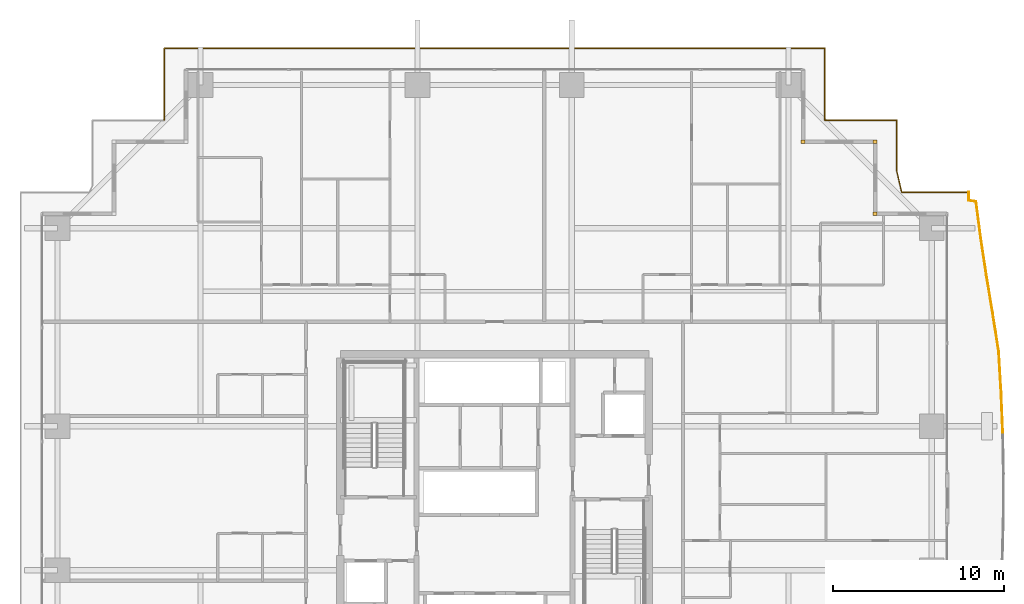
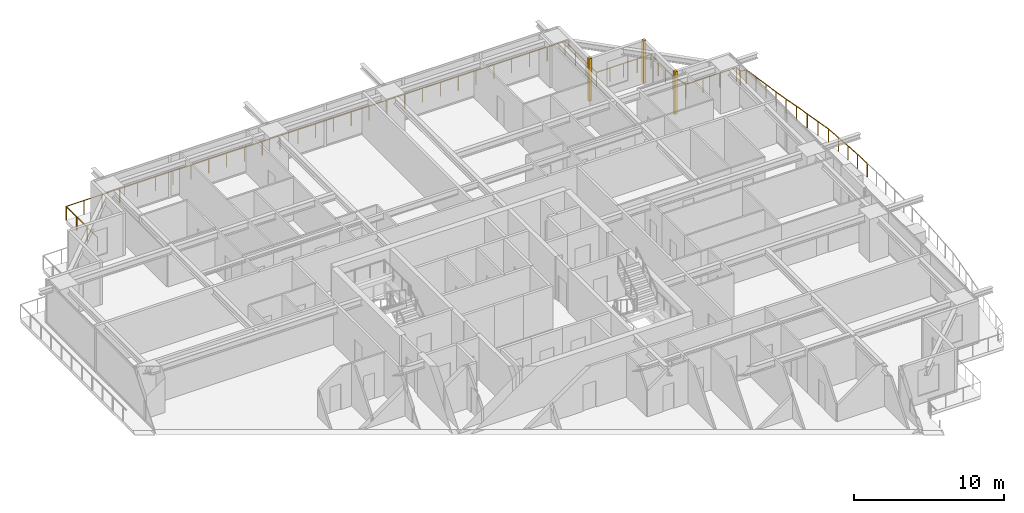
# One storey, part 39 of 39: 3 coverings, 2 railings.
"""IFC4 building model written with IfcOpenShell, lengths in metres."""

import ifcopenshell
import ifcopenshell.guid

model = None  # the IFC model being written
_history = None  # IfcOwnerHistory: only IFC2X3 demands one
_inside = {}  # id of a spatial element -> (the spatial element, [elements in it])
_under = {}  # id of a project, library or spatial element -> (it, [spatial elements below it])
_declared = {}  # id of a project -> (the project, [libraries it declares])
_typed = {}  # id of a type object -> (the type object, [elements of that type])
_made_of = {}  # id of a material, layer set ... -> (it, [elements and type objects made of it])


def new_model(schema):
    """Start an empty IFC model of exactly this schema.

    Asked for "IFC4X3", IfcOpenShell would pick the latest addendum, in which some entities
    have other attributes; the version numbers below select the first issue.
    IFC2X3 requires an IfcOwnerHistory on every rooted entity: one is made here for all.
    """
    global model, _history
    if schema == "IFC4X3":
        model = ifcopenshell.file(schema_version=(4, 3, 0, 0))
    else:
        model = ifcopenshell.file(schema=schema)
    _inside.clear()
    _under.clear()
    _declared.clear()
    _typed.clear()
    _made_of.clear()
    _history = None
    if model.schema == "IFC2X3":
        org = make("IfcOrganization", Name="unknown")
        user = make(
            "IfcPersonAndOrganization",
            ThePerson=make("IfcPerson", FamilyName="unknown"),
            TheOrganization=org,
        )
        app = make(
            "IfcApplication",
            ApplicationDeveloper=org,
            Version="unknown",
            ApplicationFullName="unknown",
            ApplicationIdentifier="unknown",
        )
        _history = make(
            "IfcOwnerHistory",
            OwningUser=user,
            OwningApplication=app,
            ChangeAction="ADDED",
            CreationDate=0,
        )
    return model


def make(cls, **values):
    """One entity of the class cls with the attributes given. An attribute that is None is left unset."""
    return model.create_entity(
        cls, **{name: value for name, value in values.items() if value is not None}
    )


def rooted(cls, **values):
    """An entity with a GlobalId (a new one), such as an element, a storey or a relation."""
    return make(cls, GlobalId=ifcopenshell.guid.new(), OwnerHistory=_history, **values)


def si_unit(unit_type, name, prefix=None):
    """IfcSIUnit, for example si_unit("LENGTHUNIT", "METRE", prefix="MILLI")."""
    return make("IfcSIUnit", UnitType=unit_type, Prefix=prefix, Name=name)


def assignment(units):
    """IfcUnitAssignment: the units of a project."""
    return None if units is None else make("IfcUnitAssignment", Units=units)


def point(xyz):
    """IfcCartesianPoint."""
    return None if xyz is None else make("IfcCartesianPoint", Coordinates=xyz)


def direction(xyz):
    """IfcDirection."""
    return None if xyz is None else make("IfcDirection", DirectionRatios=xyz)


def frame(location, z_axis=None, x_axis=None):
    """IfcAxis2Placement3D, a coordinate frame: its origin and axes. An axis left out is left unset."""
    return make(
        "IfcAxis2Placement3D",
        Location=point(location),
        Axis=direction(z_axis),
        RefDirection=direction(x_axis),
    )


def frame_2d(location, x_axis=None):
    """IfcAxis2Placement2D, a coordinate frame in the plane: its origin and x axis."""
    return make(
        "IfcAxis2Placement2D", Location=point(location), RefDirection=direction(x_axis)
    )


def origin():
    """The frame at (0, 0, 0) with its axes left unset."""
    return frame((0.0, 0.0, 0.0))


def origin_2d():
    """The frame at (0, 0) in the plane with its x axis left unset."""
    return frame_2d((0.0, 0.0))


def place(relative_to, where):
    """IfcLocalPlacement: puts the frame where relative to a parent placement (None: the world)."""
    return make(
        "IfcLocalPlacement", PlacementRelTo=relative_to, RelativePlacement=where
    )


def context(
    kind, dimensions, precision=None, world=None, true_north=None, identifier=None
):
    """IfcGeometricRepresentationContext, for example the 3D "Model" context."""
    return make(
        "IfcGeometricRepresentationContext",
        ContextIdentifier=identifier,
        ContextType=kind,
        CoordinateSpaceDimension=dimensions,
        Precision=precision,
        WorldCoordinateSystem=world,
        TrueNorth=true_north,
    )


def subcontext(parent, identifier, kind, view, scale=None):
    """IfcGeometricRepresentationSubContext, for example "Body" below "Model"."""
    return make(
        "IfcGeometricRepresentationSubContext",
        ContextIdentifier=identifier,
        ContextType=kind,
        ParentContext=parent,
        TargetScale=scale,
        TargetView=view,
    )


def project(units=None, contexts=None):
    """IfcProject with its units and contexts."""
    return rooted(
        "IfcProject",
        Name="project",
        RepresentationContexts=contexts,
        UnitsInContext=assignment(units),
    )


def spatial(cls, under=None, at=None, **own):
    """A site, building, storey or space (cls), placed at a placement, below another one or the project."""
    s = rooted(cls, ObjectPlacement=at, **own)
    if under is not None:
        _under.setdefault(under.id(), (under, []))[1].append(s)
    return s


def profile(cls, at=None, kind="AREA", **sizes):
    """A parametric profile (cls). Its sizes go by their IFC names, for example OverallWidth=200.0."""
    return make(cls, ProfileType=kind, Position=at, **sizes)


def rectangle(**sizes):
    """IfcRectangleProfileDef."""
    return profile("IfcRectangleProfileDef", **sizes)


def circle(**sizes):
    """IfcCircleProfileDef."""
    return profile("IfcCircleProfileDef", **sizes)


def extrude(swept, where, along, depth):
    """IfcExtrudedAreaSolid: the profile swept, set in the frame where, extruded along a direction by depth."""
    return make(
        "IfcExtrudedAreaSolid",
        SweptArea=swept,
        Position=where,
        ExtrudedDirection=direction(along),
        Depth=depth,
    )


def shape(context_of_items, identifier, shape_type, items):
    """IfcShapeRepresentation: the items that make up one representation, for example the "Body"."""
    return make(
        "IfcShapeRepresentation",
        ContextOfItems=context_of_items,
        RepresentationIdentifier=identifier,
        RepresentationType=shape_type,
        Items=items,
    )


def source(mapping_origin, context_of_items, identifier, shape_type, items):
    """IfcRepresentationMap: a shape defined once, which mapped items show again and again."""
    return make(
        "IfcRepresentationMap",
        MappingOrigin=mapping_origin,
        MappedRepresentation=shape(context_of_items, identifier, shape_type, items),
    )


def transform(
    local_origin,
    x_axis=None,
    y_axis=None,
    z_axis=None,
    scale=None,
    scale2=None,
    scale3=None,
    uniform=True,
):
    """IfcCartesianTransformationOperator3D, or its non-uniform kind. x_axis, y_axis, z_axis: its Axis1, 2, 3."""
    if uniform:
        return make(
            "IfcCartesianTransformationOperator3D",
            Axis1=direction(x_axis),
            Axis2=direction(y_axis),
            LocalOrigin=point(local_origin),
            Scale=scale,
            Axis3=direction(z_axis),
        )
    return make(
        "IfcCartesianTransformationOperator3DnonUniform",
        Axis1=direction(x_axis),
        Axis2=direction(y_axis),
        LocalOrigin=point(local_origin),
        Scale=scale,
        Axis3=direction(z_axis),
        Scale2=scale2,
        Scale3=scale3,
    )


def mapped(mapping_source, mapping_target):
    """IfcMappedItem: shows the shape of a source again, moved by a transform."""
    return make(
        "IfcMappedItem", MappingSource=mapping_source, MappingTarget=mapping_target
    )


def material(Name=None, Category=None):
    """IfcMaterial."""
    return make("IfcMaterial", Name=Name, Category=Category)


def layer(
    of_material, thickness, ventilated=None, Name=None, Category=None, Priority=None
):
    """IfcMaterialLayer: one layer of a wall or slab, of a material (None: an air gap)."""
    return make(
        "IfcMaterialLayer",
        Material=of_material,
        LayerThickness=thickness,
        IsVentilated=ventilated,
        Name=Name,
        Category=Category,
        Priority=Priority,
    )


def layer_set(layers, Name=None):
    """IfcMaterialLayerSet."""
    return make("IfcMaterialLayerSet", MaterialLayers=layers, LayerSetName=Name)


def made_of(thing, what):
    """Note that an element or type object is made of a material, layer set ...; save() writes the relation."""
    if what is not None:
        _made_of.setdefault(what.id(), (what, []))[1].append(thing)
    return thing


def type_object(cls, material=None, **own):
    """A type object (cls), such as IfcWallType, which elements share."""
    return made_of(rooted(cls, **own), material)


def element(
    cls,
    number,
    at=None,
    inside=None,
    cuts=None,
    type_object=None,
    material=None,
    context=None,
    identifier="Body",
    shape_type=None,
    held_by="IfcProductDefinitionShape",
    body=None,
    shapes=None,
    **own,
):
    """One element of the class cls, such as IfcWall. Its Tag is "e" and its number.

    at: its placement. inside: the storey or other place that contains it. cuts: it is an
    opening in that element (IfcRelVoidsElement). A single representation is given by context,
    identifier, shape_type and body (its items); several are given by shapes. held_by: the class
    of the entity that holds the representations. save() writes the other relations.
    """
    e = rooted(cls, Tag="e%d" % number, ObjectPlacement=at, **own)
    if body is not None:
        shapes = [shape(context, identifier, shape_type, body)]
    if shapes is not None:
        e.Representation = make(held_by, Representations=shapes)
    if inside is not None:
        _inside.setdefault(inside.id(), (inside, []))[1].append(e)
    if cuts is not None:
        rooted(
            "IfcRelVoidsElement", RelatingBuildingElement=cuts, RelatedOpeningElement=e
        )
    if type_object is not None:
        _typed.setdefault(type_object.id(), (type_object, []))[1].append(e)
    return made_of(e, material)


def aggregate(whole, parts):
    """IfcRelAggregates: a whole, such as a stair, and the parts it consists of."""
    return rooted("IfcRelAggregates", RelatingObject=whole, RelatedObjects=parts)


def save(model, path):
    """Write the relations noted so far, then the file.

    IfcRelAggregates (storeys below a building ...), IfcRelContainedInSpatialStructure (elements
    in a storey), IfcRelDefinesByType, IfcRelAssociatesMaterial and IfcRelDeclares: one each for
    every whole, place, type object, material and project.
    """
    for whole, parts in _under.values():
        aggregate(whole, parts)
    for where, things in _inside.values():
        rooted(
            "IfcRelContainedInSpatialStructure",
            RelatedElements=things,
            RelatingStructure=where,
        )
    for kind, things in _typed.values():
        rooted("IfcRelDefinesByType", RelatedObjects=things, RelatingType=kind)
    for what, things in _made_of.values():
        rooted("IfcRelAssociatesMaterial", RelatedObjects=things, RelatingMaterial=what)
    for by, libraries in _declared.values():
        rooted("IfcRelDeclares", RelatingContext=by, RelatedDefinitions=libraries)
    model.write(path)


model = new_model("IFC4")

# Units and contexts
model_context = context("Model", 3, precision=1e-05, world=origin(), true_north=direction((0.0, 1.0)))
body_context = subcontext(model_context, "Body", "Model", "MODEL_VIEW")
ifc_project = project(units=[si_unit("LENGTHUNIT", "METRE"), si_unit("AREAUNIT", "SQUARE_METRE"), si_unit("VOLUMEUNIT", "CUBIC_METRE"), si_unit("PLANEANGLEUNIT", "RADIAN"), si_unit("MASSUNIT", "GRAM", prefix="KILO")], contexts=[model_context])

# Site, building, storey
site_placement = place(None, origin())
site = spatial("IfcSite", under=ifc_project, at=site_placement, CompositionType="ELEMENT")
building_placement = place(site_placement, origin())
building = spatial("IfcBuilding", under=site, at=building_placement, Name="Serunith Strait Residences", CompositionType="ELEMENT")
storey_placement = place(building_placement, frame((0.0, 0.0, 79.199951171875)))
storey = spatial("IfcBuildingStorey", under=building, at=storey_placement, Name="L19", CompositionType="ELEMENT", Elevation=79.199951171875)

# Railings
ifc_material_1 = material(Name="Stainless Steel & Laminated Glass Balustrade", Category="steel")
railing_type = type_object("IfcRailingType", Name="RLG-BALC-1150", PredefinedType="BALUSTRADE", material=ifc_material_1)
railing_1_placement = place(storey_placement, frame((13.139892578125, 47.260009765625, -0.050048828125)))
element("IfcRailing", 1, at=railing_1_placement, inside=storey, type_object=railing_type, Name="L19 Swirling Balcony Perimeter Balustrade 2", PredefinedType="BALUSTRADE", context=body_context, shape_type="SweptSolid", body=[
    extrude(circle(Radius=0.02392578125, at=origin_2d()), frame((0.0, 0.001953125, 1.1259765625), z_axis=(0.0, 1.0, 0.0), x_axis=(-1.0, 0.0, 0.0)), (0.0, 0.0, 1.0), 4.196044921875),
    extrude(circle(Radius=0.02392578125, at=origin_2d()), frame((0.001953125, 4.199951171875, 1.1259765625), z_axis=(1.0, 0.0, 0.0), x_axis=(0.0, 1.0, 0.0)), (0.0, 0.0, 1.0), 38.51611328125),
    extrude(circle(Radius=0.02392578125, at=origin_2d()), frame((38.52001953125, 4.197998046875, 1.1259765625), z_axis=(0.0, -1.0, 0.0), x_axis=(1.0, 0.0, 0.0)), (0.0, 0.0, 1.0), 4.196044921875),
    extrude(circle(Radius=0.02392578125, at=origin_2d()), frame((38.52197265625, 0.0, 1.1259765625), z_axis=(1.0, 0.0, 0.0), x_axis=(0.0, 1.0, 0.0)), (0.0, 0.0, 1.0), 4.1962890625),
    extrude(circle(Radius=0.02392578125, at=origin_2d()), frame((42.72021484375, -0.001953125, 1.1259765625), z_axis=(0.0, -1.0, 0.0), x_axis=(1.0, 0.0, 0.0)), (0.0, 0.0, 1.0), 2.94580078125),
    extrude(circle(Radius=0.02392578125, at=origin_2d()), frame((42.720703125, -2.95166015625, 1.1259765625), z_axis=(0.225262444223, -0.974298122354, 0.0), x_axis=(0.974298122354, 0.225262444223, 0.0)), (0.0, 0.0, 1.0), 1.279296875),
    extrude(circle(Radius=0.02392578125, at=origin_2d()), frame((43.01123046875, -4.199951171875, 1.1259765625), z_axis=(1.0, 0.0, 0.0), x_axis=(0.0, 1.0, 0.0)), (0.0, 0.0, 1.0), 3.906982421875),
    extrude(circle(Radius=0.02099609375, at=origin_2d()), origin(), (0.0, 0.0, 1.0), 1.099853515625),
    extrude(circle(Radius=0.02099609375, at=origin_2d()), frame((0.0, 1.39990234375, 0.0)), (0.0, 0.0, 1.0), 1.099853515625),
    extrude(circle(Radius=0.02099609375, at=origin_2d()), frame((0.0, 2.800048828125, 0.0)), (0.0, 0.0, 1.0), 1.099853515625),
    extrude(circle(Radius=0.02099609375, at=origin_2d()), frame((0.0, 4.199951171875, 0.0)), (0.0, 0.0, 1.0), 1.099853515625),
    extrude(circle(Radius=0.02099609375, at=origin_2d()), frame((1.375732421875, 4.199951171875, 0.0)), (0.0, 0.0, 1.0), 1.099853515625),
    extrude(circle(Radius=0.02099609375, at=origin_2d()), frame((2.75146484375, 4.199951171875, 0.0)), (0.0, 0.0, 1.0), 1.099853515625),
    extrude(circle(Radius=0.02099609375, at=origin_2d()), frame((4.127197265625, 4.199951171875, 0.0)), (0.0, 0.0, 1.0), 1.099853515625),
    extrude(circle(Radius=0.02099609375, at=origin_2d()), frame((5.5029296875, 4.199951171875, 0.0)), (0.0, 0.0, 1.0), 1.099853515625),
    extrude(circle(Radius=0.02099609375, at=origin_2d()), frame((6.878662109375, 4.199951171875, 0.0)), (0.0, 0.0, 1.0), 1.099853515625),
    extrude(circle(Radius=0.02099609375, at=origin_2d()), frame((8.25439453125, 4.199951171875, 0.0)), (0.0, 0.0, 1.0), 1.099853515625),
    extrude(circle(Radius=0.02099609375, at=origin_2d()), frame((9.6298828125, 4.199951171875, 0.0)), (0.0, 0.0, 1.0), 1.099853515625),
    extrude(circle(Radius=0.02099609375, at=origin_2d()), frame((11.005615234375, 4.199951171875, 0.0)), (0.0, 0.0, 1.0), 1.099853515625),
    extrude(circle(Radius=0.02099609375, at=origin_2d()), frame((12.38134765625, 4.199951171875, 0.0)), (0.0, 0.0, 1.0), 1.099853515625),
    extrude(circle(Radius=0.02099609375, at=origin_2d()), frame((13.757080078125, 4.199951171875, 0.0)), (0.0, 0.0, 1.0), 1.099853515625),
    extrude(circle(Radius=0.02099609375, at=origin_2d()), frame((15.1328125, 4.199951171875, 0.0)), (0.0, 0.0, 1.0), 1.099853515625),
    extrude(circle(Radius=0.02099609375, at=origin_2d()), frame((16.508544921875, 4.199951171875, 0.0)), (0.0, 0.0, 1.0), 1.099853515625),
    extrude(circle(Radius=0.02099609375, at=origin_2d()), frame((17.88427734375, 4.199951171875, 0.0)), (0.0, 0.0, 1.0), 1.099853515625),
    extrude(circle(Radius=0.02099609375, at=origin_2d()), frame((19.260009765625, 4.199951171875, 0.0)), (0.0, 0.0, 1.0), 1.099853515625),
    extrude(circle(Radius=0.02099609375, at=origin_2d()), frame((20.6357421875, 4.199951171875, 0.0)), (0.0, 0.0, 1.0), 1.099853515625),
    extrude(circle(Radius=0.02099609375, at=origin_2d()), frame((22.011474609375, 4.199951171875, 0.0)), (0.0, 0.0, 1.0), 1.099853515625),
    extrude(circle(Radius=0.02099609375, at=origin_2d()), frame((23.38720703125, 4.199951171875, 0.0)), (0.0, 0.0, 1.0), 1.099853515625),
    extrude(circle(Radius=0.02099609375, at=origin_2d()), frame((24.762939453125, 4.199951171875, 0.0)), (0.0, 0.0, 1.0), 1.099853515625),
    extrude(circle(Radius=0.02099609375, at=origin_2d()), frame((26.138671875, 4.199951171875, 0.0)), (0.0, 0.0, 1.0), 1.099853515625),
    extrude(circle(Radius=0.02099609375, at=origin_2d()), frame((27.514404296875, 4.199951171875, 0.0)), (0.0, 0.0, 1.0), 1.099853515625),
    extrude(circle(Radius=0.02099609375, at=origin_2d()), frame((28.89013671875, 4.199951171875, 0.0)), (0.0, 0.0, 1.0), 1.099853515625),
    extrude(circle(Radius=0.02099609375, at=origin_2d()), frame((30.265625, 4.199951171875, 0.0)), (0.0, 0.0, 1.0), 1.099853515625),
    extrude(circle(Radius=0.02099609375, at=origin_2d()), frame((31.641357421875, 4.199951171875, 0.0)), (0.0, 0.0, 1.0), 1.099853515625),
    extrude(circle(Radius=0.02099609375, at=origin_2d()), frame((33.01708984375, 4.199951171875, 0.0)), (0.0, 0.0, 1.0), 1.099853515625),
    extrude(circle(Radius=0.02099609375, at=origin_2d()), frame((34.392822265625, 4.199951171875, 0.0)), (0.0, 0.0, 1.0), 1.099853515625),
    extrude(circle(Radius=0.02099609375, at=origin_2d()), frame((35.7685546875, 4.199951171875, 0.0)), (0.0, 0.0, 1.0), 1.099853515625),
    extrude(circle(Radius=0.02099609375, at=origin_2d()), frame((37.144287109375, 4.199951171875, 0.0)), (0.0, 0.0, 1.0), 1.099853515625),
    extrude(circle(Radius=0.02099609375, at=origin_2d()), frame((38.52001953125, 4.199951171875, 0.0)), (0.0, 0.0, 1.0), 1.099853515625),
    extrude(circle(Radius=0.02099609375, at=origin_2d()), frame((38.52001953125, 2.800048828125, 0.0)), (0.0, 0.0, 1.0), 1.099853515625),
    extrude(circle(Radius=0.02099609375, at=origin_2d()), frame((38.52001953125, 1.39990234375, 0.0)), (0.0, 0.0, 1.0), 1.099853515625),
    extrude(circle(Radius=0.02099609375, at=origin_2d()), frame((38.52001953125, 0.0, 0.0)), (0.0, 0.0, 1.0), 1.099853515625),
    extrude(circle(Radius=0.02099609375, at=origin_2d()), frame((39.570068359375, 0.0, 0.0)), (0.0, 0.0, 1.0), 1.099853515625),
    extrude(circle(Radius=0.02099609375, at=origin_2d()), frame((40.6201171875, 0.0, 0.0)), (0.0, 0.0, 1.0), 1.099853515625),
    extrude(circle(Radius=0.02099609375, at=origin_2d()), frame((41.670166015625, 0.0, 0.0)), (0.0, 0.0, 1.0), 1.099853515625),
    extrude(circle(Radius=0.02099609375, at=origin_2d()), frame((42.72021484375, 0.0, 0.0)), (0.0, 0.0, 1.0), 1.099853515625),
    extrude(circle(Radius=0.02099609375, at=origin_2d()), frame((42.72021484375, -0.983154296875, 0.0)), (0.0, 0.0, 1.0), 1.099853515625),
    extrude(circle(Radius=0.02099609375, at=origin_2d()), frame((42.72021484375, -1.966552734375, 0.0)), (0.0, 0.0, 1.0), 1.099853515625),
    extrude(circle(Radius=0.02099609375, at=origin_2d()), frame((42.72021484375, -2.94970703125, 0.0)), (0.0, 0.0, 1.0), 1.099853515625),
    extrude(circle(Radius=0.02099609375, at=origin_2d()), frame((43.00927734375, -4.199951171875, 0.0)), (0.0, 0.0, 1.0), 1.099853515625),
    extrude(circle(Radius=0.02099609375, at=origin_2d()), frame((44.31298828125, -4.199951171875, 0.0)), (0.0, 0.0, 1.0), 1.099853515625),
    extrude(circle(Radius=0.02099609375, at=origin_2d()), frame((45.616455078125, -4.199951171875, 0.0)), (0.0, 0.0, 1.0), 1.099853515625),
    extrude(circle(Radius=0.02099609375, at=origin_2d()), frame((46.920166015625, -4.199951171875, 0.0)), (0.0, 0.0, 1.0), 1.099853515625),
])
railing_2_placement = place(storey_placement, frame((60.06005859375, 43.06005859375, -0.050048828125)))
element("IfcRailing", 2, at=railing_2_placement, inside=storey, type_object=railing_type, Name="L19 Swirling Balcony Perimeter Balustrade 3", PredefinedType="BALUSTRADE", context=body_context, shape_type="SweptSolid", body=[
    extrude(circle(Radius=0.02392578125, at=origin_2d()), frame((0.0, -0.001953125, 1.1259765625), z_axis=(0.0, -1.0, 0.0), x_axis=(1.0, 0.0, 0.0)), (0.0, 0.0, 1.0), 0.482666015625),
    extrude(circle(Radius=0.02392578125, at=origin_2d()), frame((0.001953125, -0.48681640625, 1.1259765625), z_axis=(0.987430024167, -0.15805678528, 0.0), x_axis=(0.15805678528, 0.987430024167, 0.0)), (0.0, 0.0, 1.0), 0.427001953125),
    extrude(circle(Radius=0.02392578125, at=origin_2d()), frame((0.42578125, -0.556640625, 1.1259765625), z_axis=(0.129587020593, -0.991568053183, 0.0), x_axis=(0.991568053183, 0.129587020593, 0.0)), (0.0, 0.0, 1.0), 2.143798828125),
    extrude(circle(Radius=0.02392578125, at=origin_2d()), frame((0.7041015625, -2.686279296875, 1.1259765625), z_axis=(0.149798736483, -0.988716510709, 0.0), x_axis=(0.988716510709, 0.149798736483, 0.0)), (0.0, 0.0, 1.0), 2.17333984375),
    extrude(circle(Radius=0.02392578125, at=origin_2d()), frame((1.0302734375, -4.839111328125, 1.1259765625), z_axis=(0.162813221063, -0.986656908478, 0.0), x_axis=(0.986656908478, 0.162813221063, 0.0)), (0.0, 0.0, 1.0), 2.21826171875),
    extrude(circle(Radius=0.02392578125, at=origin_2d()), frame((1.39208984375, -7.03173828125, 1.1259765625), z_axis=(0.155401962763, -0.987851319769, 0.0), x_axis=(0.987851319769, 0.155401962763, 0.0)), (0.0, 0.0, 1.0), 2.277099609375),
    extrude(circle(Radius=0.02392578125, at=origin_2d()), frame((1.746337890625, -9.28515625, 1.1259765625), z_axis=(0.059583072527, -0.998223350492, 0.0), x_axis=(0.998223350492, 0.059583072527, 0.0)), (0.0, 0.0, 1.0), 2.356201171875),
    extrude(circle(Radius=0.02392578125, at=origin_2d()), frame((1.886962890625, -11.64111328125, 1.1259765625), z_axis=(0.04112838989, -0.999153869804, 0.0), x_axis=(0.999153869804, 0.04112838989, 0.0)), (0.0, 0.0, 1.0), 2.38232421875),
    extrude(circle(Radius=0.02099609375, at=origin_2d()), origin(), (0.0, 0.0, 1.0), 1.099853515625),
    extrude(circle(Radius=0.02099609375, at=origin_2d()), frame((0.0, -0.486572265625, 0.0)), (0.0, 0.0, 1.0), 1.099853515625),
    extrude(circle(Radius=0.02099609375, at=origin_2d()), frame((0.425537109375, -0.5546875, 0.0)), (0.0, 0.0, 1.0), 1.099853515625),
    extrude(circle(Radius=0.02099609375, at=origin_2d()), frame((0.564697265625, -1.61962890625, 0.0)), (0.0, 0.0, 1.0), 1.099853515625),
    extrude(circle(Radius=0.02099609375, at=origin_2d()), frame((0.703857421875, -2.684326171875, 0.0)), (0.0, 0.0, 1.0), 1.099853515625),
    extrude(circle(Radius=0.02099609375, at=origin_2d()), frame((0.866943359375, -3.7607421875, 0.0)), (0.0, 0.0, 1.0), 1.099853515625),
    extrude(circle(Radius=0.02099609375, at=origin_2d()), frame((1.030029296875, -4.837158203125, 0.0)), (0.0, 0.0, 1.0), 1.099853515625),
    extrude(circle(Radius=0.02099609375, at=origin_2d()), frame((1.2109375, -5.93359375, 0.0)), (0.0, 0.0, 1.0), 1.099853515625),
    extrude(circle(Radius=0.02099609375, at=origin_2d()), frame((1.391845703125, -7.02978515625, 0.0)), (0.0, 0.0, 1.0), 1.099853515625),
    extrude(circle(Radius=0.02099609375, at=origin_2d()), frame((1.569091796875, -8.156494140625, 0.0)), (0.0, 0.0, 1.0), 1.099853515625),
    extrude(circle(Radius=0.02099609375, at=origin_2d()), frame((1.746337890625, -9.283203125, 0.0)), (0.0, 0.0, 1.0), 1.099853515625),
    extrude(circle(Radius=0.02099609375, at=origin_2d()), frame((1.816650390625, -10.461181640625, 0.0)), (0.0, 0.0, 1.0), 1.099853515625),
    extrude(circle(Radius=0.02099609375, at=origin_2d()), frame((1.886962890625, -11.63916015625, 0.0)), (0.0, 0.0, 1.0), 1.099853515625),
    extrude(circle(Radius=0.02099609375, at=origin_2d()), frame((1.93603515625, -12.831298828125, 0.0)), (0.0, 0.0, 1.0), 1.099853515625),
    extrude(circle(Radius=0.02099609375, at=origin_2d()), frame((1.985107421875, -14.0234375, 0.0)), (0.0, 0.0, 1.0), 1.099853515625),
])

# Coverings
ifc_material_2 = material(Name="Pale-Champagne Anodised Aluminium", Category="aluminium")
ifc_layer = layer(ifc_material_2, 0.219970703125, Name="Pale-Champagne Anodised Aluminium")
ifc_layer_set = layer_set([ifc_layer], Name="Pale-Champagne Anodised Aluminium")
covering_type = type_object("IfcCoveringType", Name="COV-CORN-TRIM", PredefinedType="CLADDING", material=ifc_layer_set)
shared_shape = source(origin(), body_context, "Body", "SweptSolid", [
    extrude(rectangle(XDim=0.221923828125, YDim=0.221923828125, at=origin_2d()), origin(), (0.0, 0.0, 1.0), 3.47509765625),
])
for number, where, z_axis, x_axis, name in (
    (3, (54.60009765625, 41.800048828125, 0.0), (0.0, 0.0, 1.0), (1.0, 0.0, 0.0), "L19 Girih Serrated Corner Trim Post 07"),
    (4, (54.60009765625, 46.0, 0.0), (0.0, 0.0, 1.0), (1.0, 0.0, 0.0), "L19 Girih Serrated Corner Trim Post 08"),
    (5, (50.39990234375, 46.0, 0.0), (0.0, 0.0, 1.0), (1.0, 0.0, 0.0), "L19 Girih Serrated Corner Trim Post 09"),
):
    element("IfcCovering", number, at=place(storey_placement, frame(where, z_axis=z_axis, x_axis=x_axis)), inside=storey, type_object=covering_type, Name=name, PredefinedType="CLADDING", context=body_context, shape_type="MappedRepresentation", body=[
        mapped(shared_shape, transform((0.0, 0.0, 0.0), scale=1.0)),
    ])

save(model, "model.ifc")
